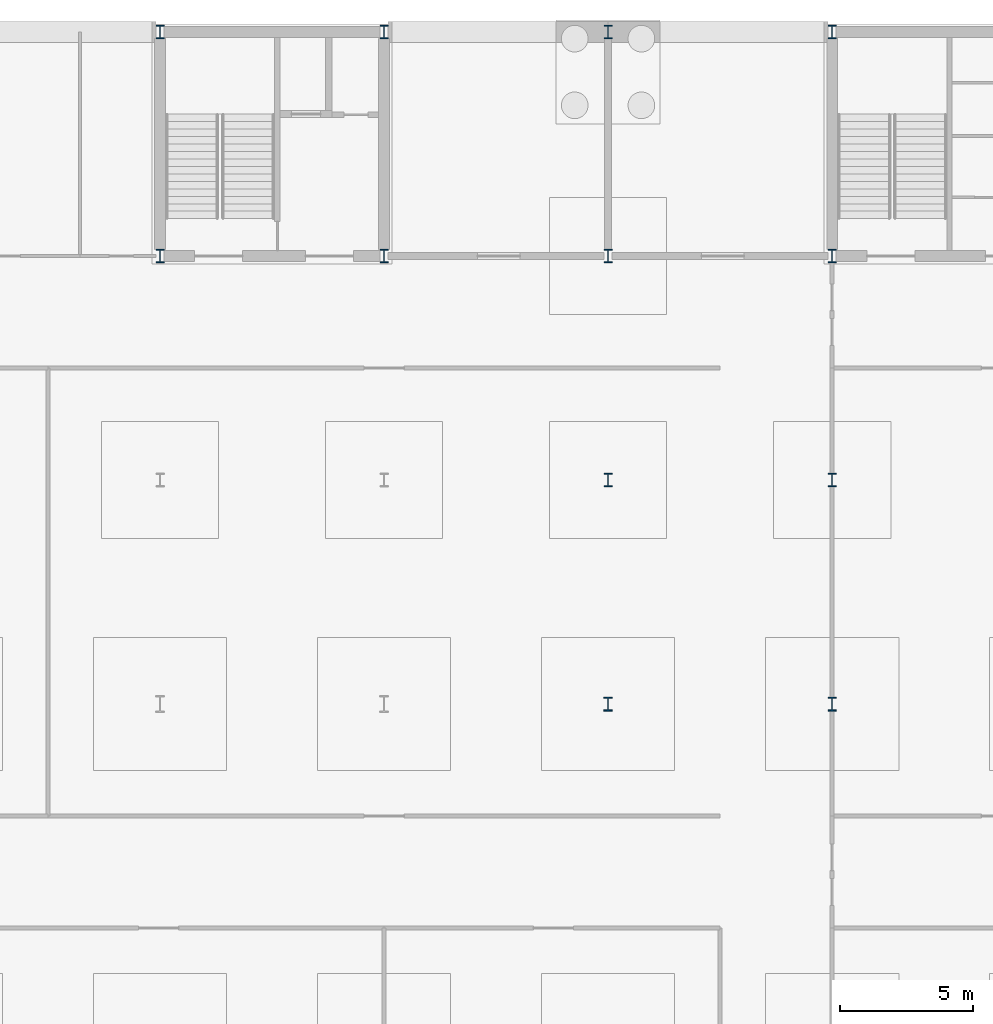
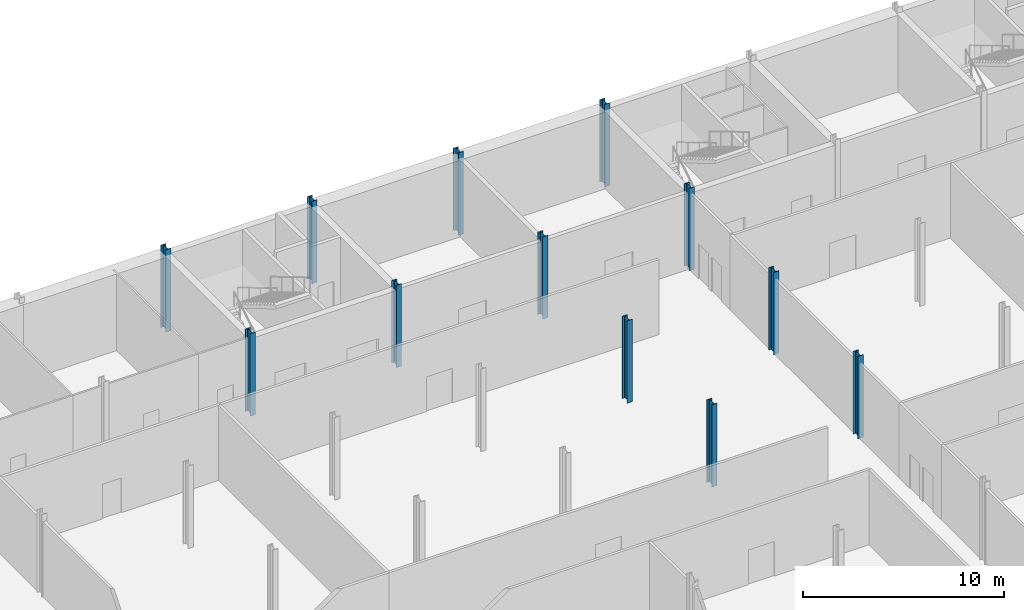
# One storey, part 6 of 22: 12 columns.
"""IFC4 building model written with IfcOpenShell, lengths in metres."""

from ifc_helpers import new_model, si_unit, direction, frame, origin, origin_2d, place, context, subcontext, project, spatial, i_section, extrude, material, material_profile, profile_set, type_object, element, save


model = new_model("IFC4")

# Units and contexts
model_context = context("Model", 3, precision=1e-05, world=origin(), true_north=direction((0.0, 1.0)))
body_context = subcontext(model_context, "Body", "Model", "MODEL_VIEW")
ifc_project = project(units=[si_unit("LENGTHUNIT", "METRE"), si_unit("AREAUNIT", "SQUARE_METRE"), si_unit("VOLUMEUNIT", "CUBIC_METRE"), si_unit("PLANEANGLEUNIT", "RADIAN"), si_unit("MASSUNIT", "GRAM", prefix="KILO")], contexts=[model_context])

# Site, building, storey
site_placement = place(None, origin())
site = spatial("IfcSite", under=ifc_project, at=site_placement, CompositionType="ELEMENT")
building_placement = place(site_placement, origin())
building = spatial("IfcBuilding", under=site, at=building_placement, Name="Galleria Vessillo Department Store", CompositionType="ELEMENT")
storey_placement = place(building_placement, frame((0.0, 0.0, -9.89990234375)))
storey = spatial("IfcBuildingStorey", under=building, at=storey_placement, Name="B2", CompositionType="ELEMENT", Elevation=-9.89990234375)

# Columns
ifc_material_1 = material(Name="Steel S355 J2", Category="steel")
ifc_material_profile_1 = material_profile(ifc_material_1, i_section(OverallWidth=0.300048828125, OverallDepth=0.5, WebThickness=0.014404296875, FlangeThickness=0.028076171875, FilletRadius=0.027099609375, at=origin_2d()), Name="HEB 500")
ifc_profile_set_1 = profile_set([ifc_material_profile_1], Name="Steel S355 J2")
column_type_1 = type_object("IfcColumnType", Name="Steel column HEB 500 CP1", PredefinedType="COLUMN", material=ifc_profile_set_1)
for number, where, z_axis, x_axis, name in (
    (1, (33.60009765625, 54.60009765625, 0.0), (0.0, 0.0, 1.0), (1.0, 0.0, 0.0), "S-COL-B2-5-G"),
    (2, (33.60009765625, 63.0, 0.0), (0.0, 0.0, 1.0), (1.0, 0.0, 0.0), "S-COL-B2-5-H"),
    (3, (42.0, 54.60009765625, 0.0), (0.0, 0.0, 1.0), (1.0, 0.0, 0.0), "S-COL-B2-6-G"),
    (4, (42.0, 63.0, 0.0), (0.0, 0.0, 1.0), (1.0, 0.0, 0.0), "S-COL-B2-6-H"),
    (5, (50.39990234375, 46.199951171875, 0.0), (0.0, 0.0, 1.0), (1.0, 0.0, 0.0), "S-COL-B2-7-F"),
    (6, (50.39990234375, 54.60009765625, 0.0), (0.0, 0.0, 1.0), (1.0, 0.0, 0.0), "S-COL-B2-7-G"),
    (7, (50.39990234375, 63.0, 0.0), (0.0, 0.0, 1.0), (1.0, 0.0, 0.0), "S-COL-B2-7-H"),
    (8, (58.800048828125, 46.199951171875, 0.0), (0.0, 0.0, 1.0), (1.0, 0.0, 0.0), "S-COL-B2-8-F"),
    (9, (58.800048828125, 54.60009765625, 0.0), (0.0, 0.0, 1.0), (1.0, 0.0, 0.0), "S-COL-B2-8-G"),
    (10, (58.800048828125, 63.0, 0.0), (0.0, 0.0, 1.0), (1.0, 0.0, 0.0), "S-COL-B2-8-H"),
):
    element("IfcColumn", number, at=place(storey_placement, frame(where, z_axis=z_axis, x_axis=x_axis)), inside=storey, type_object=column_type_1, Name=name, PredefinedType="COLUMN", context=body_context, shape_type="SweptSolid", body=[
        extrude(i_section(OverallWidth=0.300048828125, OverallDepth=0.5, WebThickness=0.014404296875, FlangeThickness=0.028076171875, FilletRadius=0.027099609375, at=origin_2d()), origin(), (0.0, 0.0, 1.0), 5.0),
    ])
ifc_material_2 = material(Name="Steel S355 J2", Category="steel")
ifc_material_profile_2 = material_profile(ifc_material_2, i_section(OverallWidth=0.305908203125, OverallDepth=0.52392578125, WebThickness=0.02099609375, FlangeThickness=0.0400390625, FilletRadius=0.027099609375, at=origin_2d()), Name="HEM 500")
ifc_profile_set_2 = profile_set([ifc_material_profile_2], Name="Steel S355 J2")
column_type_2 = type_object("IfcColumnType", Name="Steel column HEM 500 CV1", PredefinedType="COLUMN", material=ifc_profile_set_2)
for number, where, z_axis, x_axis, name in (
    (11, (50.39990234375, 37.800048828125, 0.0), (0.0, 0.0, 1.0), (1.0, 0.0, 0.0), "S-COL-B2-7-E"),
    (12, (58.800048828125, 37.800048828125, 0.0), (0.0, 0.0, 1.0), (1.0, 0.0, 0.0), "S-COL-B2-8-E"),
):
    element("IfcColumn", number, at=place(storey_placement, frame(where, z_axis=z_axis, x_axis=x_axis)), inside=storey, type_object=column_type_2, Name=name, PredefinedType="COLUMN", context=body_context, shape_type="SweptSolid", body=[
        extrude(i_section(OverallWidth=0.305908203125, OverallDepth=0.52392578125, WebThickness=0.02099609375, FlangeThickness=0.0400390625, FilletRadius=0.027099609375, at=origin_2d()), origin(), (0.0, 0.0, 1.0), 5.0),
    ])

save(model, "model.ifc")
